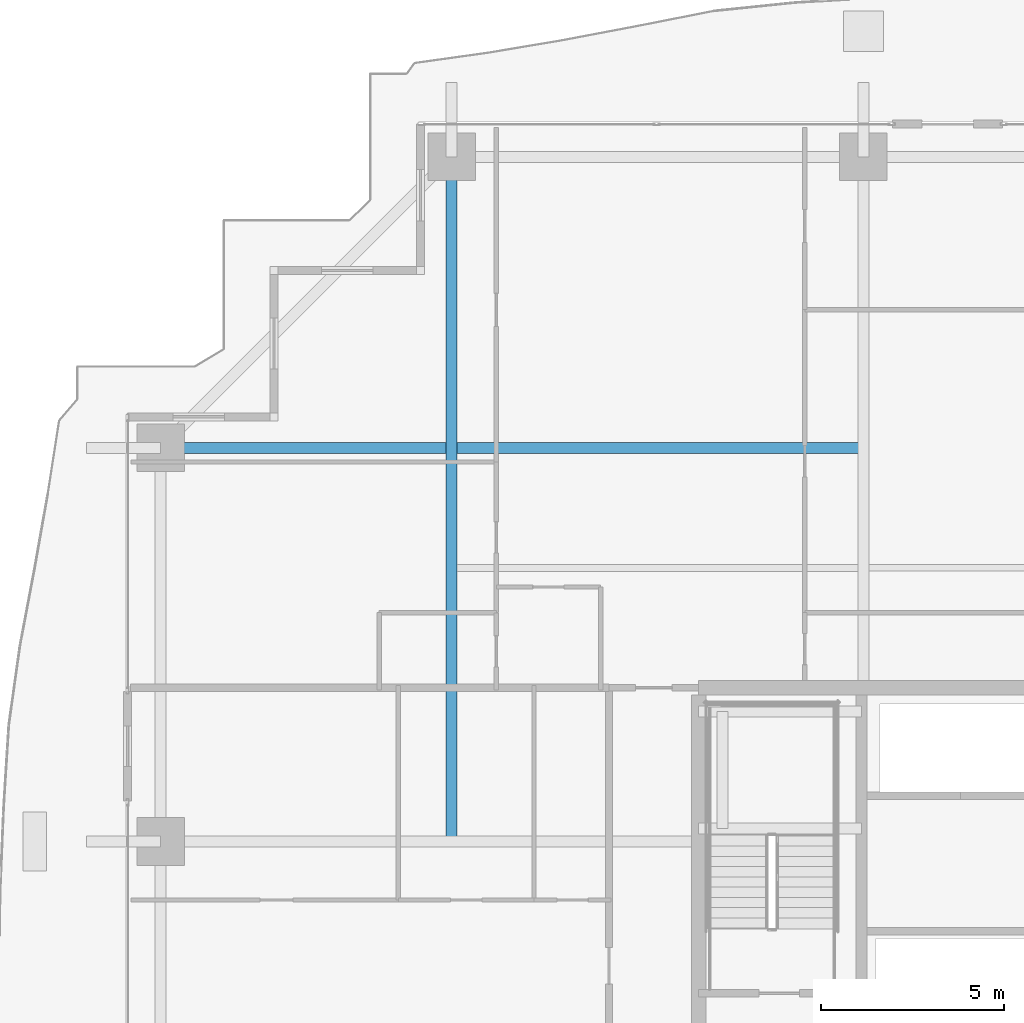
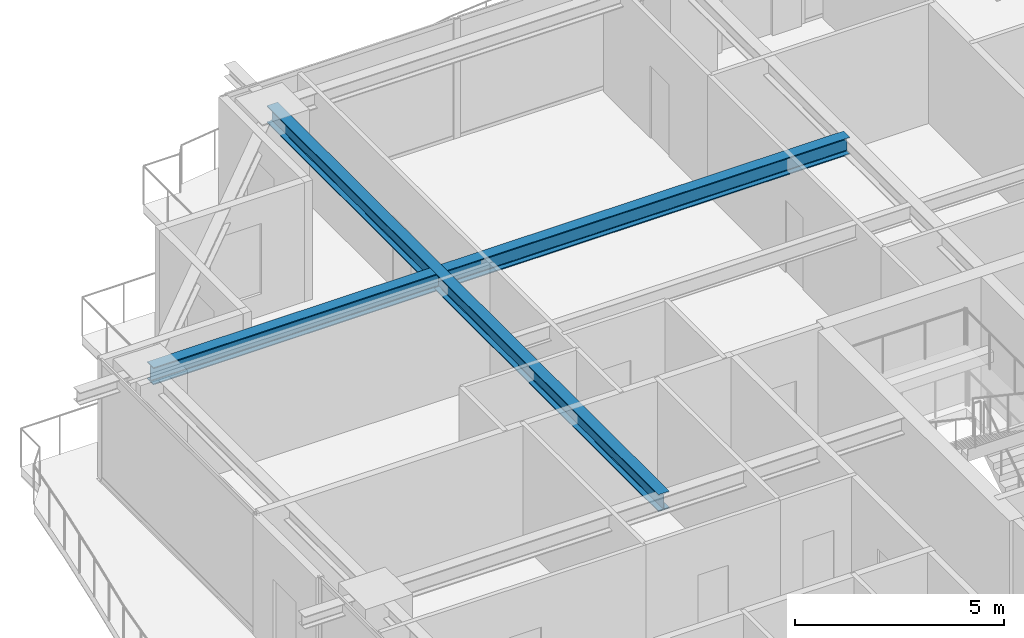
# One storey, part 18 of 37: 2 beams.
"""IFC4 building model written with IfcOpenShell, lengths in metres."""

from ifc_helpers import new_model, si_unit, direction, frame, origin, origin_2d, place, context, subcontext, project, spatial, i_section, extrude, source, transform, mapped, material, material_profile, profile_set, type_object, element, save


model = new_model("IFC4")

# Units and contexts
model_context = context("Model", 3, precision=1e-05, world=origin(), true_north=direction((0.0, 1.0)))
body_context = subcontext(model_context, "Body", "Model", "MODEL_VIEW")
ifc_project = project(units=[si_unit("LENGTHUNIT", "METRE"), si_unit("AREAUNIT", "SQUARE_METRE"), si_unit("VOLUMEUNIT", "CUBIC_METRE"), si_unit("PLANEANGLEUNIT", "RADIAN"), si_unit("MASSUNIT", "GRAM", prefix="KILO")], contexts=[model_context])

# Site, building, storey
site_placement = place(None, origin())
site = spatial("IfcSite", under=ifc_project, at=site_placement, CompositionType="ELEMENT")
building_placement = place(site_placement, origin())
building = spatial("IfcBuilding", under=site, at=building_placement, Name="Serunith Strait Residences", CompositionType="ELEMENT")
storey_placement = place(building_placement, frame((0.0, 0.0, 127.64990234375)))
storey = spatial("IfcBuildingStorey", under=building, at=storey_placement, Name="L31", CompositionType="ELEMENT", Elevation=127.64990234375)

# Beams
ifc_material = material(Name="Steel S355J2", Category="steel")
ifc_material_profile = material_profile(ifc_material, i_section(OverallWidth=0.300048828125, OverallDepth=0.5, WebThickness=0.014404296875, FlangeThickness=0.028076171875, FilletRadius=0.027099609375, at=origin_2d()), Name="HEB 500")
ifc_profile_set = profile_set([ifc_material_profile], Name="Steel S355J2")
beam_type = type_object("IfcBeamType", Name="BM-HEB500", PredefinedType="BEAM", material=ifc_profile_set)
shared_shape_1 = source(origin(), body_context, "Body", "SweptSolid", [
    extrude(i_section(OverallWidth=0.300048828125, OverallDepth=0.5, WebThickness=0.014404296875, FlangeThickness=0.028076171875, FilletRadius=0.027099609375, at=origin_2d()), origin(), (0.0, 0.0, 1.0), 18.7001953125),
])
beam_1_placement = place(storey_placement, frame((16.64990234375, 29.39990234375, 3.237060546875), z_axis=(0.0, 1.0, 0.0), x_axis=(-1.0, 0.0, 0.0)))
element("IfcBeam", 1, at=beam_1_placement, inside=storey, type_object=beam_type, Name="L31 Orthogonal Corner Girder TC-N1", PredefinedType="BEAM", context=body_context, shape_type="MappedRepresentation", body=[
    mapped(shared_shape_1, transform((0.0, 0.0, 0.0), scale=1.0)),
])
shared_shape_2 = source(origin(), body_context, "Body", "SweptSolid", [
    extrude(i_section(OverallWidth=0.300048828125, OverallDepth=0.5, WebThickness=0.014404296875, FlangeThickness=0.028076171875, FilletRadius=0.027099609375, at=origin_2d()), origin(), (0.0, 0.0, 1.0), 19.199951171875),
])
beam_2_placement = place(storey_placement, frame((27.89990234375, 40.14990234375, 3.237060546875), z_axis=(-1.0, 0.0, 0.0), x_axis=(0.0, -1.0, 0.0)))
element("IfcBeam", 2, at=beam_2_placement, inside=storey, type_object=beam_type, Name="L31 Orthogonal Corner Girder TC-W4", PredefinedType="BEAM", context=body_context, shape_type="MappedRepresentation", body=[
    mapped(shared_shape_2, transform((0.0, 0.0, 0.0), scale=1.0)),
])

save(model, "model.ifc")
